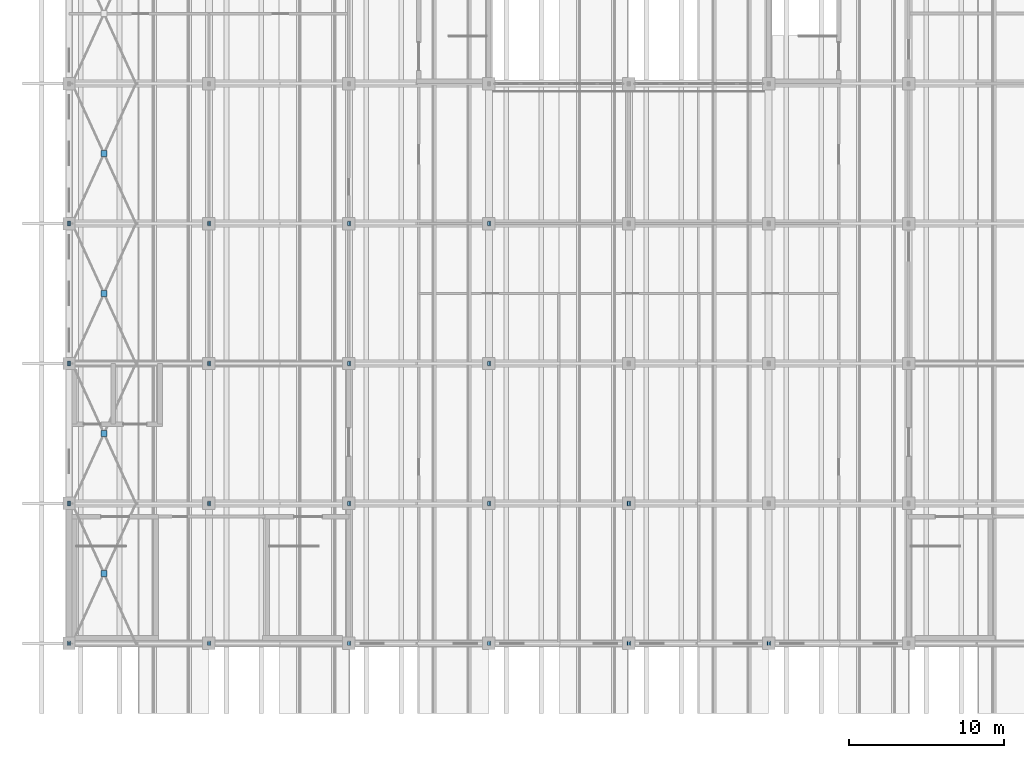
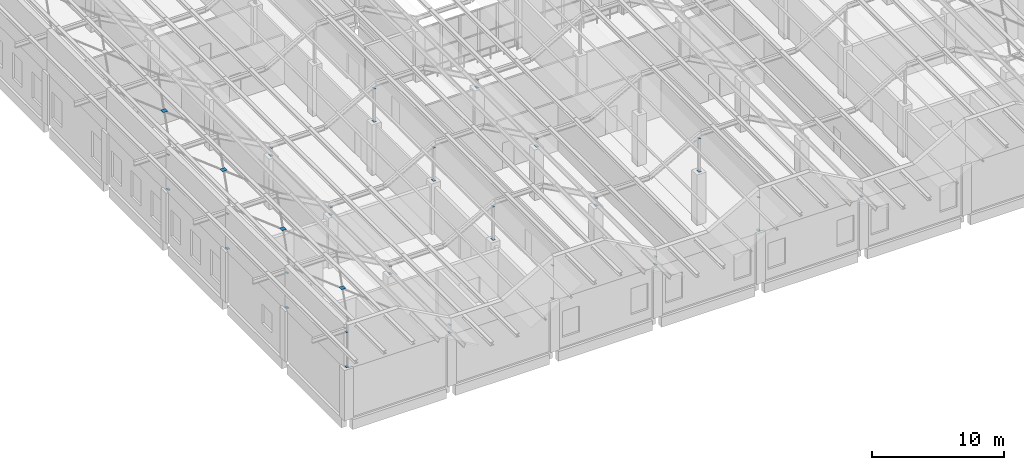
# One storey, part 342 of 437: 42 discrete accessories.
"""IFC4 building model written with IfcOpenShell, lengths in metres."""

from ifc_helpers import new_model, si_unit, direction, frame, origin, origin_2d, place, context, subcontext, project, spatial, rectangle, extrude, material, layer, layer_set, type_object, element, save


model = new_model("IFC4")

# Units and contexts
model_context = context("Model", 3, precision=1e-05, world=origin(), true_north=direction((0.0, 1.0)))
body_context = subcontext(model_context, "Body", "Model", "MODEL_VIEW")
ifc_project = project(units=[si_unit("LENGTHUNIT", "METRE"), si_unit("AREAUNIT", "SQUARE_METRE"), si_unit("VOLUMEUNIT", "CUBIC_METRE"), si_unit("PLANEANGLEUNIT", "RADIAN"), si_unit("MASSUNIT", "GRAM", prefix="KILO")], contexts=[model_context])

# Site, building, storey
site_placement = place(None, origin())
site = spatial("IfcSite", under=ifc_project, at=site_placement, CompositionType="ELEMENT")
building_placement = place(site_placement, origin())
building = spatial("IfcBuilding", under=site, at=building_placement, Name="Opaline Strait Convention Centre", CompositionType="ELEMENT")
storey_placement = place(building_placement, frame((0.0, 0.0, 11.5)))
storey = spatial("IfcBuildingStorey", under=building, at=storey_placement, Name="L02", CompositionType="ELEMENT", Elevation=11.5)

# Discrete accessories
ifc_material = material(Name="Steel Q355B", Category="steel")
ifc_layer_1 = layer(ifc_material, 0.02001953125)
ifc_layer_set_1 = layer_set([ifc_layer_1], Name="Steel Q355B")
discrete_accessory_type_1 = type_object("IfcDiscreteAccessoryType", Name="Roof post base plate 300 x 200 x 20", PredefinedType="ANCHORPLATE", material=ifc_layer_set_1)
for number, where, z_axis, x_axis, name in (
    (1, (9.0, 9.0, 4.669921875), (0.0, 0.0, 1.0), (1.0, 0.0, 0.0), "Roof post base plate at 9/9"),
    (2, (18.0, 9.0, 4.669921875), (0.0, 0.0, 1.0), (1.0, 0.0, 0.0), "Roof post base plate at 18/9"),
    (3, (27.0, 9.0, 4.669921875), (0.0, 0.0, 1.0), (1.0, 0.0, 0.0), "Roof post base plate at 27/9"),
    (4, (36.0, 9.0, 4.669921875), (0.0, 0.0, 1.0), (1.0, 0.0, 0.0), "Roof post base plate at 36/9"),
    (5, (45.0, 9.0, 4.669921875), (0.0, 0.0, 1.0), (1.0, 0.0, 0.0), "Roof post base plate at 45/9"),
    (6, (54.0, 9.0, 4.669921875), (0.0, 0.0, 1.0), (1.0, 0.0, 0.0), "Roof post base plate at 54/9"),
    (7, (9.0, 18.0, 4.669921875), (0.0, 0.0, 1.0), (1.0, 0.0, 0.0), "Roof post base plate at 9/18"),
    (8, (18.0, 18.0, 4.669921875), (0.0, 0.0, 1.0), (1.0, 0.0, 0.0), "Roof post base plate at 18/18"),
    (9, (27.0, 18.0, 4.669921875), (0.0, 0.0, 1.0), (1.0, 0.0, 0.0), "Roof post base plate at 27/18"),
    (10, (36.0, 18.0, 4.669921875), (0.0, 0.0, 1.0), (1.0, 0.0, 0.0), "Roof post base plate at 36/18"),
    (11, (45.0, 18.0, 4.669921875), (0.0, 0.0, 1.0), (1.0, 0.0, 0.0), "Roof post base plate at 45/18"),
    (12, (9.0, 27.0, 4.669921875), (0.0, 0.0, 1.0), (1.0, 0.0, 0.0), "Roof post base plate at 9/27"),
    (13, (18.0, 27.0, 4.669921875), (0.0, 0.0, 1.0), (1.0, 0.0, 0.0), "Roof post base plate at 18/27"),
    (14, (27.0, 27.0, 4.669921875), (0.0, 0.0, 1.0), (1.0, 0.0, 0.0), "Roof post base plate at 27/27"),
    (15, (36.0, 27.0, 4.669921875), (0.0, 0.0, 1.0), (1.0, 0.0, 0.0), "Roof post base plate at 36/27"),
    (16, (9.0, 36.0, 4.669921875), (0.0, 0.0, 1.0), (1.0, 0.0, 0.0), "Roof post base plate at 9/36"),
    (17, (18.0, 36.0, 4.669921875), (0.0, 0.0, 1.0), (1.0, 0.0, 0.0), "Roof post base plate at 18/36"),
    (18, (27.0, 36.0, 4.669921875), (0.0, 0.0, 1.0), (1.0, 0.0, 0.0), "Roof post base plate at 27/36"),
    (19, (36.0, 36.0, 4.669921875), (0.0, 0.0, 1.0), (1.0, 0.0, 0.0), "Roof post base plate at 36/36"),
):
    element("IfcDiscreteAccessory", number, at=place(storey_placement, frame(where, z_axis=z_axis, x_axis=x_axis)), inside=storey, type_object=discrete_accessory_type_1, Name=name, PredefinedType="ANCHORPLATE", context=body_context, shape_type="SweptSolid", body=[
        extrude(rectangle(XDim=0.199951171875, YDim=0.300048828125, at=origin_2d()), origin(), (0.0, 0.0, 1.0), 0.02001953125),
    ])
ifc_layer_2 = layer(ifc_material, 0.014892578125)
ifc_layer_set_2 = layer_set([ifc_layer_2], Name="Steel Q355B")
discrete_accessory_type_2 = type_object("IfcDiscreteAccessoryType", Name="Roof post cap plate 250 x 150 x 15", PredefinedType="ANCHORPLATE", material=ifc_layer_set_2)
for number, where, z_axis, x_axis, name in (
    (20, (9.0, 9.0, 7.88525390625), (0.0, 0.0, 1.0), (1.0, 0.0, 0.0), "Roof post cap plate at 9/9"),
    (21, (18.0, 9.0, 5.38525390625), (0.0, 0.0, 1.0), (1.0, 0.0, 0.0), "Roof post cap plate at 18/9"),
    (22, (27.0, 9.0, 7.72119140625), (0.0, 0.0, 1.0), (1.0, 0.0, 0.0), "Roof post cap plate at 27/9"),
    (23, (36.0, 9.0, 5.38525390625), (0.0, 0.0, 1.0), (1.0, 0.0, 0.0), "Roof post cap plate at 36/9"),
    (24, (45.0, 9.0, 7.72119140625), (0.0, 0.0, 1.0), (1.0, 0.0, 0.0), "Roof post cap plate at 45/9"),
    (25, (54.0, 9.0, 5.38525390625), (0.0, 0.0, 1.0), (1.0, 0.0, 0.0), "Roof post cap plate at 54/9"),
    (26, (9.0, 18.0, 7.88525390625), (0.0, 0.0, 1.0), (1.0, 0.0, 0.0), "Roof post cap plate at 9/18"),
    (27, (18.0, 18.0, 5.38525390625), (0.0, 0.0, 1.0), (1.0, 0.0, 0.0), "Roof post cap plate at 18/18"),
    (28, (27.0, 18.0, 7.72119140625), (0.0, 0.0, 1.0), (1.0, 0.0, 0.0), "Roof post cap plate at 27/18"),
    (29, (36.0, 18.0, 5.38525390625), (0.0, 0.0, 1.0), (1.0, 0.0, 0.0), "Roof post cap plate at 36/18"),
    (30, (45.0, 18.0, 7.72119140625), (0.0, 0.0, 1.0), (1.0, 0.0, 0.0), "Roof post cap plate at 45/18"),
    (31, (9.0, 27.0, 7.88525390625), (0.0, 0.0, 1.0), (1.0, 0.0, 0.0), "Roof post cap plate at 9/27"),
    (32, (18.0, 27.0, 5.38525390625), (0.0, 0.0, 1.0), (1.0, 0.0, 0.0), "Roof post cap plate at 18/27"),
    (33, (27.0, 27.0, 7.72119140625), (0.0, 0.0, 1.0), (1.0, 0.0, 0.0), "Roof post cap plate at 27/27"),
    (34, (36.0, 27.0, 5.38525390625), (0.0, 0.0, 1.0), (1.0, 0.0, 0.0), "Roof post cap plate at 36/27"),
    (35, (9.0, 36.0, 7.88525390625), (0.0, 0.0, 1.0), (1.0, 0.0, 0.0), "Roof post cap plate at 9/36"),
    (36, (18.0, 36.0, 5.38525390625), (0.0, 0.0, 1.0), (1.0, 0.0, 0.0), "Roof post cap plate at 18/36"),
    (37, (27.0, 36.0, 7.72119140625), (0.0, 0.0, 1.0), (1.0, 0.0, 0.0), "Roof post cap plate at 27/36"),
    (38, (36.0, 36.0, 5.38525390625), (0.0, 0.0, 1.0), (1.0, 0.0, 0.0), "Roof post cap plate at 36/36"),
):
    element("IfcDiscreteAccessory", number, at=place(storey_placement, frame(where, z_axis=z_axis, x_axis=x_axis)), inside=storey, type_object=discrete_accessory_type_2, Name=name, PredefinedType="ANCHORPLATE", context=body_context, shape_type="SweptSolid", body=[
        extrude(rectangle(XDim=0.14990234375, YDim=0.25, at=origin_2d()), origin(), (0.0, 0.0, 1.0), 0.014892578125),
    ])
ifc_layer_3 = layer(ifc_material, 0.014892578125)
ifc_layer_set_3 = layer_set([ifc_layer_3], Name="Steel Q355B")
discrete_accessory_type_3 = type_object("IfcDiscreteAccessoryType", Name="X-brace gusset plate 400 x 400 x 15", PredefinedType="ANCHORPLATE", material=ifc_layer_set_3)
for number, where, z_axis, x_axis, name in (
    (39, (11.25, 13.5, 8.4140625), (0.0, 0.0, 1.0), (1.0, 0.0, 0.0), "X-brace gusset plate bay 1 at 9"),
    (40, (11.25, 22.5, 8.4140625), (0.0, 0.0, 1.0), (1.0, 0.0, 0.0), "X-brace gusset plate bay 2 at 9"),
    (41, (11.25, 31.5, 8.4140625), (0.0, 0.0, 1.0), (1.0, 0.0, 0.0), "X-brace gusset plate bay 3 at 9"),
    (42, (11.25, 40.5, 8.4140625), (0.0, 0.0, 1.0), (1.0, 0.0, 0.0), "X-brace gusset plate bay 4 at 9"),
):
    element("IfcDiscreteAccessory", number, at=place(storey_placement, frame(where, z_axis=z_axis, x_axis=x_axis)), inside=storey, type_object=discrete_accessory_type_3, Name=name, PredefinedType="ANCHORPLATE", context=body_context, shape_type="SweptSolid", body=[
        extrude(rectangle(XDim=0.39990234375, YDim=0.39990234375, at=origin_2d()), origin(), (0.0, 0.0, 1.0), 0.014892578125),
    ])

save(model, "model.ifc")
